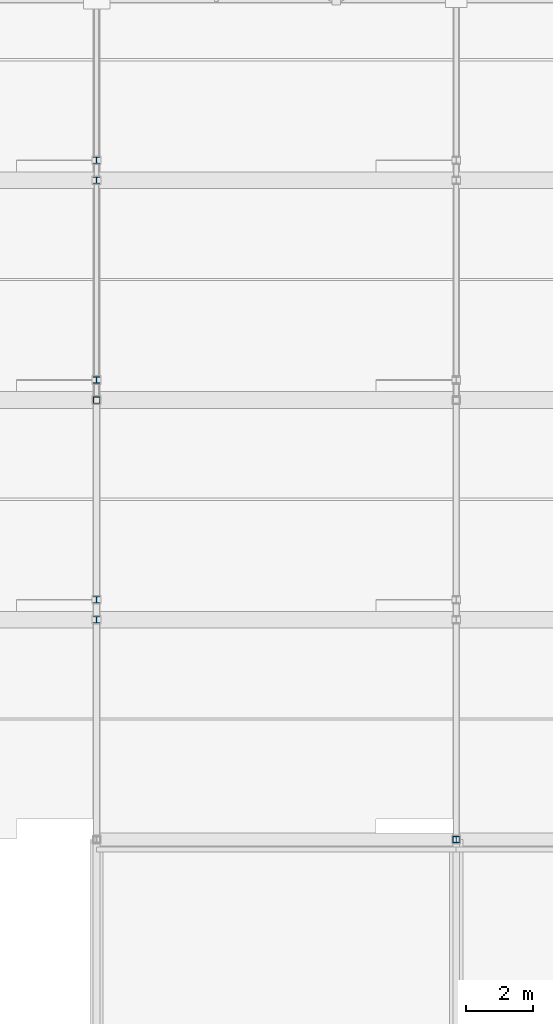
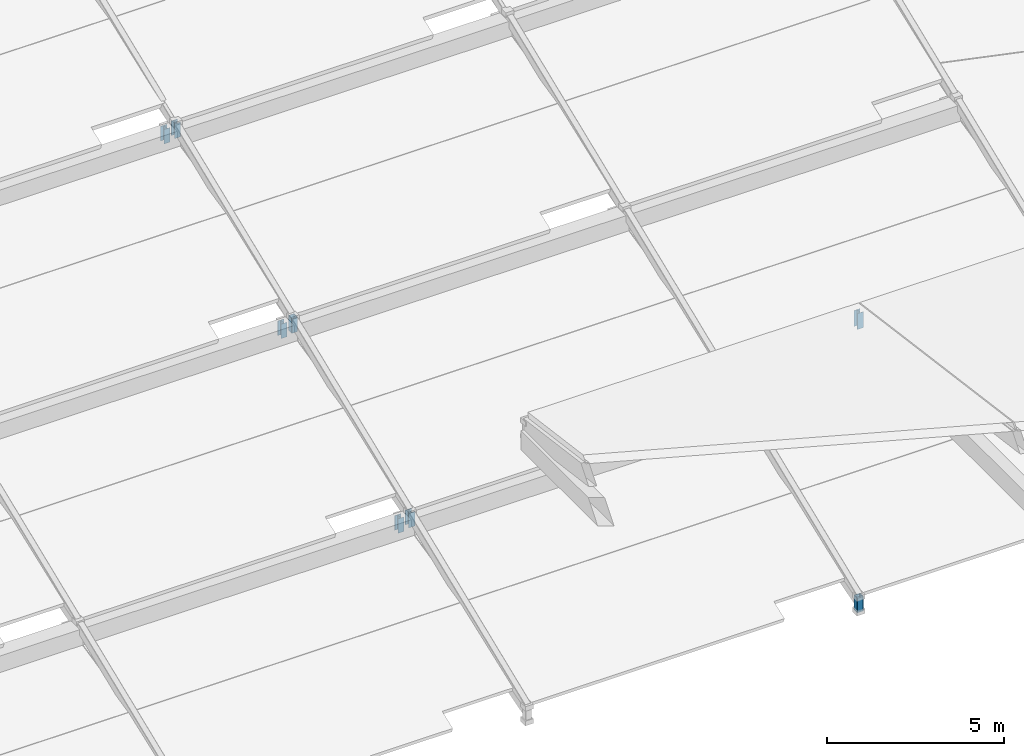
# One storey, part 88 of 112: 8 members.
"""IFC4 building model written with IfcOpenShell, lengths in metres."""

from ifc_helpers import new_model, si_unit, direction, frame, origin, origin_2d, place, context, subcontext, project, spatial, hollow_rectangle, i_section, extrude, material, material_profile, profile_set, type_object, element, save


model = new_model("IFC4")

# Units and contexts
model_context = context("Model", 3, precision=1e-05, world=origin(), true_north=direction((0.0, 1.0)))
body_context = subcontext(model_context, "Body", "Model", "MODEL_VIEW")
ifc_project = project(units=[si_unit("LENGTHUNIT", "METRE"), si_unit("AREAUNIT", "SQUARE_METRE"), si_unit("VOLUMEUNIT", "CUBIC_METRE"), si_unit("PLANEANGLEUNIT", "RADIAN"), si_unit("MASSUNIT", "GRAM", prefix="KILO")], contexts=[model_context])

# Site, building, storey
site_placement = place(None, origin())
site = spatial("IfcSite", under=ifc_project, at=site_placement, CompositionType="ELEMENT")
building_placement = place(site_placement, origin())
building = spatial("IfcBuilding", under=site, at=building_placement, Name="Zwinboog Wholesale Market", CompositionType="ELEMENT")
storey_placement = place(building_placement, frame((0.0, 0.0, 19.080078125)))
storey = spatial("IfcBuildingStorey", under=building, at=storey_placement, Name="Roof", CompositionType="ELEMENT", Elevation=19.080078125)

# Members
ifc_material = material(Name="Steel S355", Category="steel")
ifc_material_profile_1 = material_profile(ifc_material, hollow_rectangle(XDim=0.199951171875, YDim=0.199951171875, WallThickness=0.010009765625, InnerFilletRadius=0.010009765625, OuterFilletRadius=0.02001953125, at=origin_2d()), Name="SHS 200x200x10")
ifc_profile_set_1 = profile_set([ifc_material_profile_1], Name="Steel S355")
member_type_1 = type_object("IfcMemberType", Name="MT-04", PredefinedType="BRACE", material=ifc_profile_set_1)
for number, where, z_axis, x_axis, name in (
    (1, (151.199951171875, 56.39990234375, -4.630126953125), (0.0, 0.0, 1.0), (1.0, 0.0, 0.0), "DB-01 (MEM-Roof-0248)"),
    (2, (162.0, 43.199951171875, -10.030029296875), (0.0, 0.0, 1.0), (1.0, 0.0, 0.0), "DB-01 (MEM-Roof-0272)"),
):
    element("IfcMember", number, at=place(storey_placement, frame(where, z_axis=z_axis, x_axis=x_axis)), inside=storey, type_object=member_type_1, Name=name, PredefinedType="BRACE", context=body_context, shape_type="SweptSolid", body=[
        extrude(hollow_rectangle(XDim=0.199951171875, YDim=0.199951171875, WallThickness=0.010009765625, InnerFilletRadius=0.010009765625, OuterFilletRadius=0.02001953125, at=origin_2d()), origin(), (0.0, 0.0, 1.0), 0.5),
    ])
ifc_material_profile_2 = material_profile(ifc_material, i_section(OverallWidth=0.199951171875, OverallDepth=0.18994140625, WebThickness=0.006591796875, FlangeThickness=0.010009765625, FilletRadius=0.01806640625, at=origin_2d()), Name="HEA 200")
ifc_profile_set_2 = profile_set([ifc_material_profile_2], Name="Steel S355")
member_type_2 = type_object("IfcMemberType", Name="MT-05", PredefinedType="BRACE", material=ifc_profile_set_2)
for number, where, z_axis, x_axis, name in (
    (3, (151.199951171875, 50.39990234375, -7.880126953125), (0.0, 0.0, 1.0), (1.0, 0.0, 0.0), "DB-02 (MEM-Roof-0243)"),
    (4, (151.199951171875, 49.800048828125, -7.330078125), (0.0, 0.0, 1.0), (1.0, 0.0, 0.0), "DB-02 (MEM-Roof-0245)"),
    (5, (151.199951171875, 57.0, -5.18017578125), (0.0, 0.0, 1.0), (1.0, 0.0, 0.0), "DB-02 (MEM-Roof-0246)"),
    (6, (151.199951171875, 63.60009765625, -2.47998046875), (0.0, 0.0, 1.0), (1.0, 0.0, 0.0), "DB-02 (MEM-Roof-0249)"),
    (7, (151.199951171875, 63.0, -1.93017578125), (0.0, 0.0, 1.0), (1.0, 0.0, 0.0), "DB-02 (MEM-Roof-0251)"),
):
    element("IfcMember", number, at=place(storey_placement, frame(where, z_axis=z_axis, x_axis=x_axis)), inside=storey, type_object=member_type_2, Name=name, PredefinedType="BRACE", context=body_context, shape_type="SweptSolid", body=[
        extrude(i_section(OverallWidth=0.199951171875, OverallDepth=0.18994140625, WebThickness=0.006591796875, FlangeThickness=0.010009765625, FilletRadius=0.01806640625, at=origin_2d()), origin(), (0.0, 0.0, 1.0), 0.5),
    ])
member_placement = place(storey_placement, frame((162.0, 43.199951171875, -0.280029296875), z_axis=(0.0, 0.0, 1.0), x_axis=(1.0, 0.0, 0.0)))
element("IfcMember", 8, at=member_placement, inside=storey, type_object=member_type_2, Name="DB-02 (MEM-Roof-0933)", PredefinedType="BRACE", context=body_context, shape_type="SweptSolid", body=[
    extrude(i_section(OverallWidth=0.199951171875, OverallDepth=0.18994140625, WebThickness=0.006591796875, FlangeThickness=0.010009765625, FilletRadius=0.01806640625, at=origin_2d()), origin(), (0.0, 0.0, 1.0), 0.550048828125),
])

save(model, "model.ifc")
